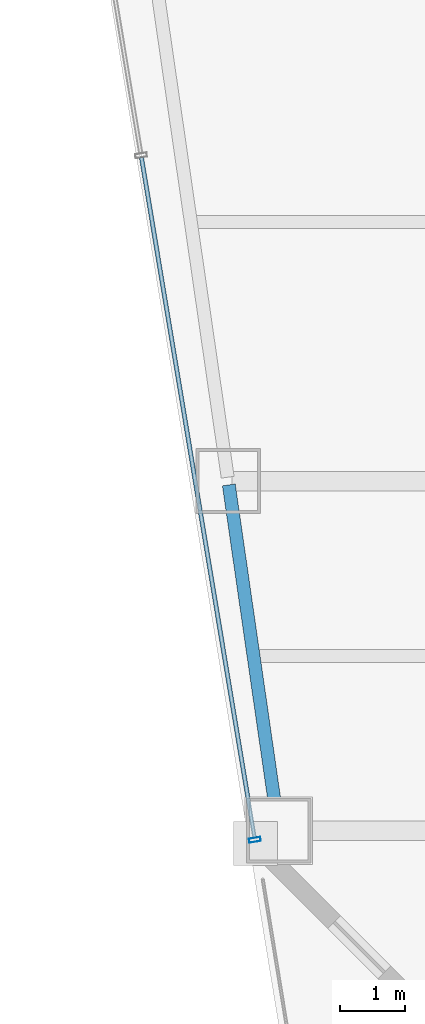
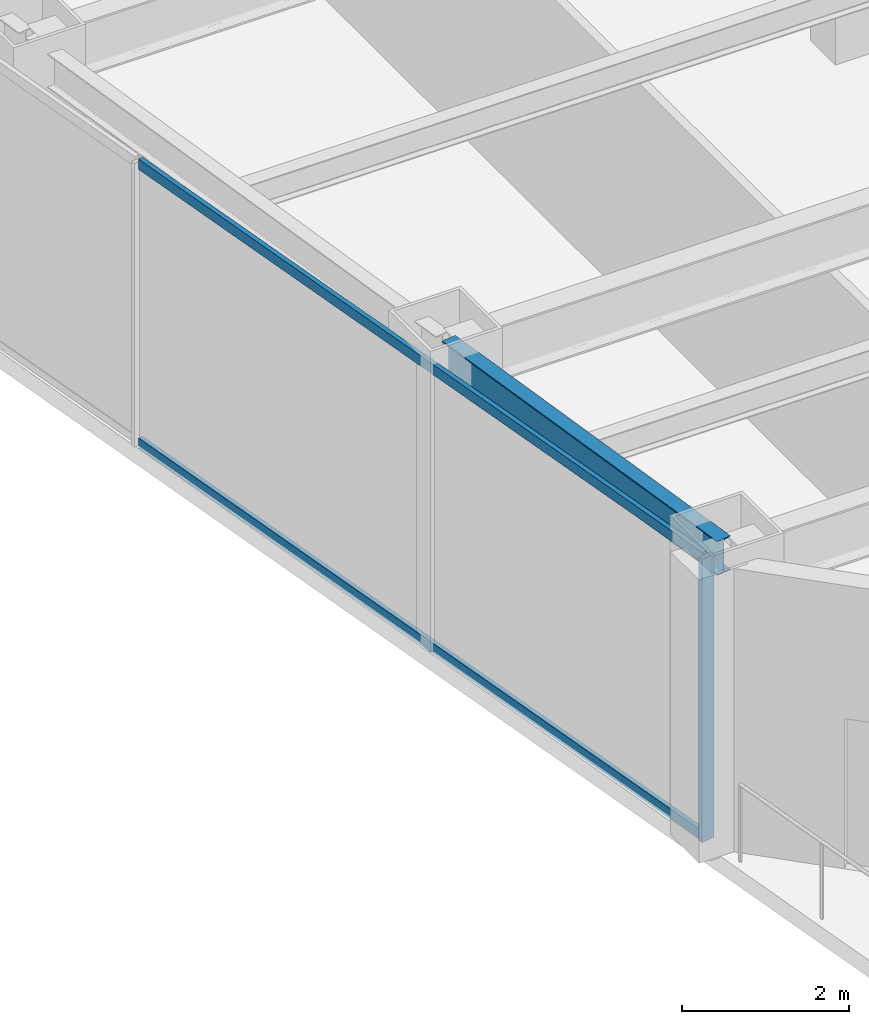
# One storey, part 2 of 35: 3 members, 1 beam, 1 element without a shape of its own.
"""IFC4 building model written with IfcOpenShell, lengths in metres."""

from ifc_helpers import new_model, si_unit, direction, frame, origin, origin_2d, place, context, subcontext, project, spatial, hollow_rectangle, i_section, extrude, material, material_profile, profile_set, type_object, element, aggregate, save


model = new_model("IFC4")

# Units and contexts
model_context = context("Model", 3, precision=1e-05, world=origin(), true_north=direction((0.0, 1.0)))
body_context = subcontext(model_context, "Body", "Model", "MODEL_VIEW")
ifc_project = project(units=[si_unit("LENGTHUNIT", "METRE"), si_unit("AREAUNIT", "SQUARE_METRE"), si_unit("VOLUMEUNIT", "CUBIC_METRE"), si_unit("PLANEANGLEUNIT", "RADIAN"), si_unit("MASSUNIT", "GRAM", prefix="KILO")], contexts=[model_context])

# Site, building, storey
site_placement = place(None, origin())
site = spatial("IfcSite", under=ifc_project, at=site_placement, CompositionType="ELEMENT")
building_placement = place(site_placement, origin())
building = spatial("IfcBuilding", under=site, at=building_placement, Name="Saevonmaru Cultural Tower", CompositionType="ELEMENT")
storey_placement = place(building_placement, frame((0.0, 0.0, 101.60009765625)))
storey = spatial("IfcBuildingStorey", under=building, at=storey_placement, Name="L21", CompositionType="ELEMENT", Elevation=101.60009765625)

# Beam
ifc_material_1 = material(Name="Steel SM355", Category="steel")
ifc_material_profile_1 = material_profile(ifc_material_1, i_section(OverallWidth=0.199951171875, OverallDepth=0.5, WebThickness=0.010009765625, FlangeThickness=0.01611328125, FilletRadius=0.02001953125, at=origin_2d()), Name="H-500x200x10x16")
ifc_profile_set_1 = profile_set([ifc_material_profile_1], Name="Steel SM355")
beam_type = type_object("IfcBeamType", Name="BM-SP-H500", PredefinedType="SPANDREL", material=ifc_profile_set_1)
beam_placement = place(storey_placement, frame((11.3994140625, 10.659423828125, 3.89990234375), z_axis=(-0.1429328758, 0.989732384544, 0.0), x_axis=(-0.989732384544, -0.1429328758, 0.0)))
element("IfcBeam", 1, at=beam_placement, inside=storey, type_object=beam_type, Name="L21 West Splayed Spandrel 1", PredefinedType="SPANDREL", context=body_context, shape_type="SweptSolid", body=[
    extrude(i_section(OverallWidth=0.199951171875, OverallDepth=0.5, WebThickness=0.010009765625, FlangeThickness=0.01611328125, FilletRadius=0.02001953125, at=origin_2d()), origin(), (0.0, 0.0, 1.0), 5.3359375),
])

# Curtain wall, members
ifc_material_2 = material(Name="Satin Bronze Anodised Aluminium", Category="aluminium")
curtain_wall_type = type_object("IfcCurtainWallType", Name="CW-TYP-A", PredefinedType="NOTDEFINED", material=ifc_material_2)
curtain_wall_placement = place(storey_placement, origin())
curtain_wall = element("IfcCurtainWall", 2, at=curtain_wall_placement, inside=storey, type_object=curtain_wall_type, Name="L21 Unitised Curtain Wall E12", PredefinedType="NOTDEFINED")
ifc_material_profile_2 = material_profile(ifc_material_2, hollow_rectangle(XDim=0.06494140625, YDim=0.179931640625, WallThickness=0.00390625, at=origin_2d()), Name="ALU-MULL-180x65x4")
ifc_profile_set_2 = profile_set([ifc_material_profile_2], Name="Satin Bronze Anodised Aluminium")
member_type_1 = type_object("IfcMemberType", Name="ML-CW-180x65", PredefinedType="MULLION", material=ifc_profile_set_2)
member_1_placement = place(storey_placement, frame((11.0390625, 10.459228515625, 0.0), z_axis=(0.0, 0.0, 1.0), x_axis=(0.163998702345, -0.986460554523, 0.0)))
member_1 = element("IfcMember", 3, at=member_1_placement, type_object=member_type_1, Name="CW-TW-L21-E12 mullion 5", PredefinedType="MULLION", context=body_context, shape_type="SweptSolid", body=[
    extrude(hollow_rectangle(XDim=0.06494140625, YDim=0.179931640625, WallThickness=0.00390625, at=origin_2d()), origin(), (0.0, 0.0, 1.0), 4.14990234375),
])
ifc_material_profile_3 = material_profile(ifc_material_2, hollow_rectangle(XDim=0.06494140625, YDim=0.14990234375, WallThickness=0.00390625, at=origin_2d()), Name="ALU-TRAN-150x65x4")
ifc_profile_set_3 = profile_set([ifc_material_profile_3], Name="Satin Bronze Anodised Aluminium")
member_type_2 = type_object("IfcMemberType", Name="TR-CW-150x65", PredefinedType="USERDEFINED", material=ifc_profile_set_3)
member_2_placement = place(storey_placement, frame((9.287109375, 20.99755859375, 0.032470703125), z_axis=(0.163990079074, -0.9864619881, 0.0), x_axis=(0.9864619881, 0.163990079074, 0.0)))
member_2 = element("IfcMember", 4, at=member_2_placement, type_object=member_type_2, Name="CW-TW-L21-E12 transom 4.1", ObjectType="TRANSOM", PredefinedType="USERDEFINED", context=body_context, shape_type="SweptSolid", body=[
    extrude(hollow_rectangle(XDim=0.06494140625, YDim=0.14990234375, WallThickness=0.00390625, at=origin_2d()), origin(), (0.0, 0.0, 1.0), 10.650634765625),
])
member_3_placement = place(storey_placement, frame((9.287109375, 20.99755859375, 4.117431640625), z_axis=(0.163990079074, -0.9864619881, 0.0), x_axis=(0.9864619881, 0.163990079074, 0.0)))
member_3 = element("IfcMember", 5, at=member_3_placement, type_object=member_type_2, Name="CW-TW-L21-E12 transom 4.2", ObjectType="TRANSOM", PredefinedType="USERDEFINED", context=body_context, shape_type="SweptSolid", body=[
    extrude(hollow_rectangle(XDim=0.06494140625, YDim=0.14990234375, WallThickness=0.00390625, at=origin_2d()), origin(), (0.0, 0.0, 1.0), 10.650634765625),
])
aggregate(curtain_wall, [member_1, member_2, member_3])

save(model, "model.ifc")
